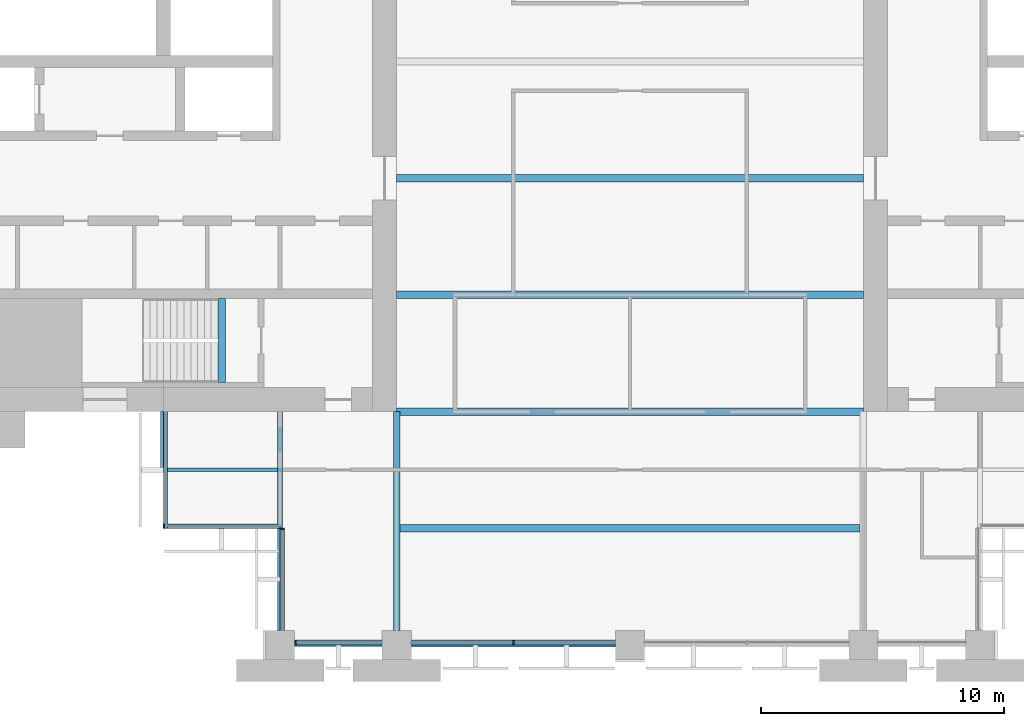
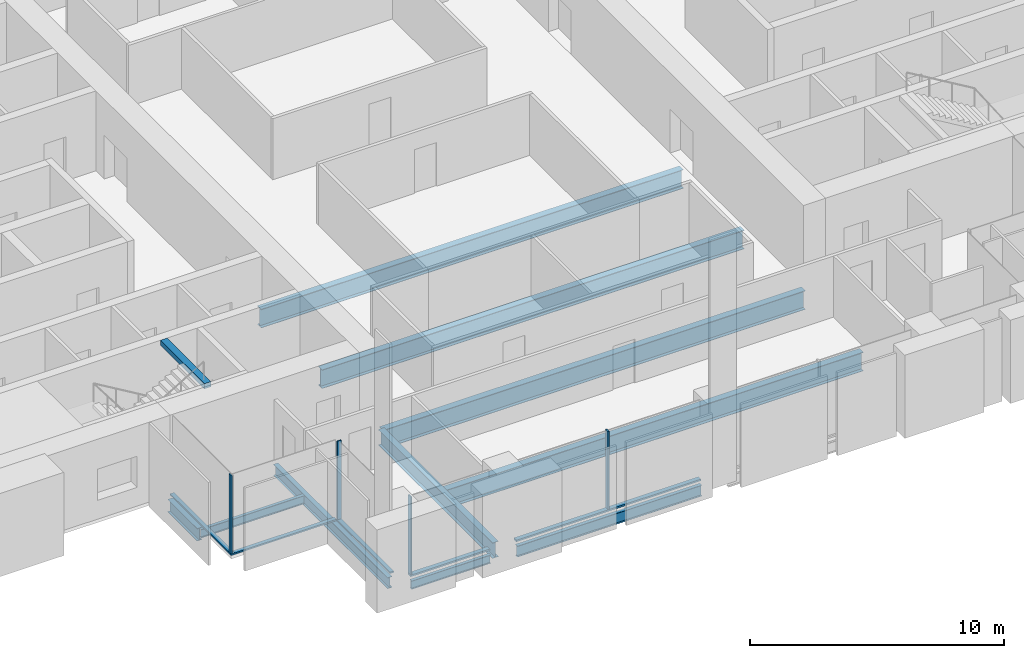
# One storey, part 2 of 14: 11 beams, 9 members, 4 elements without a shape of their own.
"""IFC4 building model written with IfcOpenShell, lengths in metres."""

from ifc_helpers import new_model, si_unit, direction, frame, origin, origin_2d, place, context, subcontext, project, spatial, rectangle, i_section, extrude, material, material_profile, profile_set, type_object, element, aggregate, save


model = new_model("IFC4")

# Units and contexts
model_context = context("Model", 3, precision=1e-05, world=origin(), true_north=direction((0.0, 1.0)))
body_context = subcontext(model_context, "Body", "Model", "MODEL_VIEW")
ifc_project = project(units=[si_unit("LENGTHUNIT", "METRE"), si_unit("AREAUNIT", "SQUARE_METRE"), si_unit("VOLUMEUNIT", "CUBIC_METRE"), si_unit("PLANEANGLEUNIT", "RADIAN"), si_unit("MASSUNIT", "GRAM", prefix="KILO")], contexts=[model_context])

# Site, building, storey
site_placement = place(None, origin())
site = spatial("IfcSite", under=ifc_project, at=site_placement, CompositionType="ELEMENT")
building_placement = place(site_placement, origin())
building = spatial("IfcBuilding", under=site, at=building_placement, Name="Baori Bourse Tower", CompositionType="ELEMENT")
storey_placement = place(building_placement, frame((0.0, 0.0, 120.10009765625)))
storey = spatial("IfcBuildingStorey", under=building, at=storey_placement, Name="L25", CompositionType="ELEMENT", Elevation=120.10009765625)

# Curtain wall, members
ifc_material_1 = material(Name="Pale anodised aluminium", Category="aluminium")
curtain_wall_type_1 = type_object("IfcCurtainWallType", Name="CW1 Curtain wall", PredefinedType="NOTDEFINED", material=ifc_material_1)
curtain_wall_1_placement = place(storey_placement, origin())
curtain_wall_1 = element("IfcCurtainWall", 1, at=curtain_wall_1_placement, inside=storey, type_object=curtain_wall_type_1, Name="Curtain wall CW1 L25 11", PredefinedType="NOTDEFINED")
ifc_material_2 = material(Name="Pale anodised aluminium", Category="aluminium")
ifc_material_profile_1 = material_profile(ifc_material_2, rectangle(XDim=0.199951171875, YDim=0.06005859375, at=origin_2d()), Name="Mullion 60x200")
ifc_profile_set_1 = profile_set([ifc_material_profile_1], Name="Pale anodised aluminium")
member_type_1 = type_object("IfcMemberType", Name="CW1 Curtain wall mullion", PredefinedType="MULLION", material=ifc_profile_set_1)
member_1_placement = place(storey_placement, frame((15.030029296875, 0.10009765625, 0.079833984375), z_axis=(0.0, 0.0, 1.0), x_axis=(0.0, 1.0, 0.0)))
member_1 = element("IfcMember", 2, at=member_1_placement, type_object=member_type_1, Name="Curtain wall CW1 mullion", PredefinedType="MULLION", context=body_context, shape_type="SweptSolid", body=[
    extrude(rectangle(XDim=0.199951171875, YDim=0.06005859375, at=origin_2d()), origin(), (0.0, 0.0, 1.0), 3.760009765625),
])
member_2_placement = place(storey_placement, frame((24.0, 0.10009765625, 0.079833984375), z_axis=(0.0, 0.0, 1.0), x_axis=(0.0, 1.0, 0.0)))
member_2 = element("IfcMember", 3, at=member_2_placement, type_object=member_type_1, Name="Curtain wall CW1 mullion", PredefinedType="MULLION", context=body_context, shape_type="SweptSolid", body=[
    extrude(rectangle(XDim=0.199951171875, YDim=0.06005859375, at=origin_2d()), origin(), (0.0, 0.0, 1.0), 3.760009765625),
])
ifc_material_3 = material(Name="Pale anodised aluminium", Category="aluminium")
ifc_material_profile_2 = material_profile(ifc_material_3, rectangle(XDim=0.199951171875, YDim=0.080078125, at=origin_2d()), Name="Transom 80x200")
ifc_profile_set_2 = profile_set([ifc_material_profile_2], Name="Pale anodised aluminium")
member_type_2 = type_object("IfcMemberType", Name="CW1 Curtain wall transom", PredefinedType="USERDEFINED", material=ifc_profile_set_2)
member_3_placement = place(storey_placement, frame((15.0, 0.10009765625, 0.039794921875), z_axis=(1.0, 0.0, 0.0), x_axis=(0.0, 1.0, 0.0)))
member_3 = element("IfcMember", 4, at=member_3_placement, type_object=member_type_2, Name="Curtain wall CW1 sill rail", ObjectType="TRANSOM", PredefinedType="USERDEFINED", context=body_context, shape_type="SweptSolid", body=[
    extrude(rectangle(XDim=0.199951171875, YDim=0.080078125, at=origin_2d()), origin(), (0.0, 0.0, 1.0), 3.60009765625),
])
member_4_placement = place(storey_placement, frame((19.800048828125, 0.10009765625, 0.039794921875), z_axis=(1.0, 0.0, 0.0), x_axis=(0.0, 1.0, 0.0)))
member_4 = element("IfcMember", 5, at=member_4_placement, type_object=member_type_2, Name="Curtain wall CW1 sill rail", ObjectType="TRANSOM", PredefinedType="USERDEFINED", context=body_context, shape_type="SweptSolid", body=[
    extrude(rectangle(XDim=0.199951171875, YDim=0.080078125, at=origin_2d()), origin(), (0.0, 0.0, 1.0), 8.39990234375),
])
aggregate(curtain_wall_1, [member_3, member_1, member_4, member_2])

# Curtain wall, member
ifc_material_4 = material(Name="Pale anodised aluminium", Category="aluminium")
curtain_wall_type_2 = type_object("IfcCurtainWallType", Name="CW2 Curtain wall", PredefinedType="NOTDEFINED", material=ifc_material_4)
curtain_wall_2_placement = place(storey_placement, origin())
curtain_wall_2 = element("IfcCurtainWall", 6, at=curtain_wall_2_placement, inside=storey, type_object=curtain_wall_type_2, Name="Curtain wall CW2 L25 9", PredefinedType="NOTDEFINED")
ifc_material_5 = material(Name="Pale anodised aluminium", Category="aluminium")
ifc_material_profile_3 = material_profile(ifc_material_5, rectangle(XDim=0.179931640625, YDim=0.054931640625, at=origin_2d()), Name="Mullion 55x180")
ifc_profile_set_3 = profile_set([ifc_material_profile_3], Name="Pale anodised aluminium")
member_type_3 = type_object("IfcMemberType", Name="CW2 Curtain wall mullion", PredefinedType="MULLION", material=ifc_profile_set_3)
member_5_placement = place(storey_placement, frame((9.62744140625, 4.889892578125, 0.06982421875), z_axis=(0.0, 0.0, 1.0), x_axis=(0.0, 1.0, 0.0)))
member_5 = element("IfcMember", 7, at=member_5_placement, type_object=member_type_3, Name="Curtain wall CW2 mullion", PredefinedType="MULLION", context=body_context, shape_type="SweptSolid", body=[
    extrude(rectangle(XDim=0.179931640625, YDim=0.054931640625, at=origin_2d()), origin(), (0.0, 0.0, 1.0), 3.77001953125),
])

curtain_wall_3_placement = place(storey_placement, origin())
curtain_wall_3 = element("IfcCurtainWall", 8, at=curtain_wall_3_placement, inside=storey, type_object=curtain_wall_type_2, Name="Curtain wall CW2 L25 10", PredefinedType="NOTDEFINED")
member_6_placement = place(storey_placement, frame((14.489990234375, 4.7724609375, 0.06982421875), z_axis=(0.0, 0.0, 1.0), x_axis=(1.0, 0.0, 0.0)))
member_6 = element("IfcMember", 9, at=member_6_placement, type_object=member_type_3, Name="Curtain wall CW2 mullion", PredefinedType="MULLION", context=body_context, shape_type="SweptSolid", body=[
    extrude(rectangle(XDim=0.179931640625, YDim=0.054931640625, at=origin_2d()), origin(), (0.0, 0.0, 1.0), 3.77001953125),
])

curtain_wall_4_placement = place(storey_placement, origin())
curtain_wall_4 = element("IfcCurtainWall", 10, at=curtain_wall_4_placement, inside=storey, type_object=curtain_wall_type_2, Name="Curtain wall CW2 L25 8", PredefinedType="NOTDEFINED")
ifc_material_6 = material(Name="Pale anodised aluminium", Category="aluminium")
ifc_material_profile_4 = material_profile(ifc_material_6, rectangle(XDim=0.179931640625, YDim=0.070068359375, at=origin_2d()), Name="Transom 70x180")
ifc_profile_set_4 = profile_set([ifc_material_profile_4], Name="Pale anodised aluminium")
member_type_4 = type_object("IfcMemberType", Name="CW2 Curtain wall transom", PredefinedType="USERDEFINED", material=ifc_profile_set_4)
member_7_placement = place(storey_placement, frame((9.68994140625, 9.60009765625, 0.034912109375), z_axis=(0.0, -1.0, 0.0), x_axis=(1.0, 0.0, 0.0)))
member_7 = element("IfcMember", 11, at=member_7_placement, type_object=member_type_4, Name="Curtain wall CW2 sill rail", ObjectType="TRANSOM", PredefinedType="USERDEFINED", context=body_context, shape_type="SweptSolid", body=[
    extrude(rectangle(XDim=0.179931640625, YDim=0.070068359375, at=origin_2d()), origin(), (0.0, 0.0, 1.0), 4.800048828125),
])
aggregate(curtain_wall_4, [member_7])

# Member
member_8_placement = place(storey_placement, frame((9.60009765625, 4.889892578125, 0.034912109375), z_axis=(1.0, 0.0, 0.0), x_axis=(0.0, 1.0, 0.0)))
member_8 = element("IfcMember", 12, at=member_8_placement, type_object=member_type_4, Name="Curtain wall CW2 sill rail", ObjectType="TRANSOM", PredefinedType="USERDEFINED", context=body_context, shape_type="SweptSolid", body=[
    extrude(rectangle(XDim=0.179931640625, YDim=0.070068359375, at=origin_2d()), origin(), (0.0, 0.0, 1.0), 4.7998046875),
])

aggregate(curtain_wall_2, [member_8, member_5])

member_9_placement = place(storey_placement, frame((14.489990234375, 4.800048828125, 0.034912109375), z_axis=(0.0, -1.0, 0.0), x_axis=(1.0, 0.0, 0.0)))
member_9 = element("IfcMember", 13, at=member_9_placement, type_object=member_type_4, Name="Curtain wall CW2 sill rail", ObjectType="TRANSOM", PredefinedType="USERDEFINED", context=body_context, shape_type="SweptSolid", body=[
    extrude(rectangle(XDim=0.179931640625, YDim=0.070068359375, at=origin_2d()), origin(), (0.0, 0.0, 1.0), 4.199951171875),
])

aggregate(curtain_wall_3, [member_9, member_6])

# Beams
ifc_material_7 = material(Name="Steel A992 Gr 50", Category="steel")
ifc_material_profile_5 = material_profile(ifc_material_7, i_section(OverallWidth=0.227783203125, OverallDepth=0.60205078125, WebThickness=0.010498046875, FlangeThickness=0.014892578125, at=origin_2d()), Name="W24x68")
ifc_profile_set_5 = profile_set([ifc_material_profile_5], Name="Steel A992 Gr 50")
beam_type_1 = type_object("IfcBeamType", Name="Core bracket W24x68", PredefinedType="BEAM", material=ifc_profile_set_5)
beam_1_placement = place(storey_placement, frame((9.60009765625, 7.270263671875, -0.461181640625), z_axis=(0.0, 1.0, 0.0), x_axis=(-1.0, 0.0, 0.0)))
element("IfcBeam", 14, at=beam_1_placement, inside=storey, type_object=beam_type_1, Name="Core bracket L25", PredefinedType="BEAM", context=body_context, shape_type="SweptSolid", body=[
    extrude(i_section(OverallWidth=0.227783203125, OverallDepth=0.60205078125, WebThickness=0.010498046875, FlangeThickness=0.014892578125, at=origin_2d()), origin(), (0.0, 0.0, 1.0), 2.329833984375),
])
ifc_material_8 = material(Name="Steel A992 Gr 50", Category="steel")
ifc_material_profile_6 = material_profile(ifc_material_8, i_section(OverallWidth=0.140380859375, OverallDepth=0.40380859375, WebThickness=0.007080078125, FlangeThickness=0.01123046875, at=origin_2d()), Name="W16x31")
ifc_profile_set_6 = profile_set([ifc_material_profile_6], Name="Steel A992 Gr 50")
beam_type_2 = type_object("IfcBeamType", Name="Edge beam W16x31", PredefinedType="BEAM", material=ifc_profile_set_6)
beam_2_placement = place(storey_placement, frame((15.0, 0.0, -0.362060546875), z_axis=(1.0, 0.0, 0.0), x_axis=(0.0, 1.0, 0.0)))
element("IfcBeam", 15, at=beam_2_placement, inside=storey, type_object=beam_type_2, Name="Edge beam L25", PredefinedType="BEAM", context=body_context, shape_type="SweptSolid", body=[
    extrude(i_section(OverallWidth=0.140380859375, OverallDepth=0.40380859375, WebThickness=0.007080078125, FlangeThickness=0.01123046875, at=origin_2d()), origin(), (0.0, 0.0, 1.0), 3.60009765625),
])
ifc_material_9 = material(Name="Steel A992 Gr 50", Category="steel")
ifc_material_profile_7 = material_profile(ifc_material_9, i_section(OverallWidth=0.1650390625, OverallDepth=0.52587890625, WebThickness=0.0087890625, FlangeThickness=0.011474609375, at=origin_2d()), Name="W21x44")
ifc_profile_set_7 = profile_set([ifc_material_profile_7], Name="Steel A992 Gr 50")
beam_type_3 = type_object("IfcBeamType", Name="Edge beam W21x44", PredefinedType="BEAM", material=ifc_profile_set_7)
beam_3_placement = place(storey_placement, frame((19.800048828125, 0.0, -0.423095703125), z_axis=(1.0, 0.0, 0.0), x_axis=(0.0, 1.0, 0.0)))
element("IfcBeam", 16, at=beam_3_placement, inside=storey, type_object=beam_type_3, Name="Edge beam L25", PredefinedType="BEAM", context=body_context, shape_type="SweptSolid", body=[
    extrude(i_section(OverallWidth=0.1650390625, OverallDepth=0.52587890625, WebThickness=0.0087890625, FlangeThickness=0.011474609375, at=origin_2d()), origin(), (0.0, 0.0, 1.0), 8.39990234375),
])
ifc_material_10 = material(Name="Steel A992 Gr 50", Category="steel")
ifc_material_profile_8 = material_profile(ifc_material_10, i_section(OverallWidth=0.209228515625, OverallDepth=0.533447265625, WebThickness=0.01025390625, FlangeThickness=0.015625, at=origin_2d()), Name="W21x62")
ifc_profile_set_8 = profile_set([ifc_material_profile_8], Name="Steel A992 Gr 50")
beam_type_4 = type_object("IfcBeamType", Name="Floor beam W21x62", PredefinedType="BEAM", material=ifc_profile_set_8)
beam_4_placement = place(storey_placement, frame((14.39990234375, 0.60009765625, -0.4267578125), z_axis=(0.0, 1.0, 0.0), x_axis=(-1.0, 0.0, 0.0)))
element("IfcBeam", 17, at=beam_4_placement, inside=storey, type_object=beam_type_4, Name="Floor beam L25", PredefinedType="BEAM", context=body_context, shape_type="SweptSolid", body=[
    extrude(i_section(OverallWidth=0.209228515625, OverallDepth=0.533447265625, WebThickness=0.01025390625, FlangeThickness=0.015625, at=origin_2d()), origin(), (0.0, 0.0, 1.0), 9.0),
])
ifc_material_11 = material(Name="Steel A992 Gr 50", Category="steel")
ifc_material_profile_9 = material_profile(ifc_material_11, i_section(OverallWidth=0.3046875, OverallDepth=0.904296875, WebThickness=0.01513671875, FlangeThickness=0.02001953125, at=origin_2d()), Name="W36x135")
ifc_profile_set_9 = profile_set([ifc_material_profile_9], Name="Steel A992 Gr 50")
beam_type_5 = type_object("IfcBeamType", Name="Floor beam W36x135", PredefinedType="BEAM", material=ifc_profile_set_9)
beam_5_placement = place(storey_placement, frame((19.33203125, 4.800048828125, -0.6123046875), z_axis=(1.0, 0.0, 0.0), x_axis=(0.0, 1.0, 0.0)))
element("IfcBeam", 18, at=beam_5_placement, inside=storey, type_object=beam_type_5, Name="Floor beam L25", PredefinedType="BEAM", context=body_context, shape_type="SweptSolid", body=[
    extrude(i_section(OverallWidth=0.3046875, OverallDepth=0.904296875, WebThickness=0.01513671875, FlangeThickness=0.02001953125, at=origin_2d()), origin(), (0.0, 0.0, 1.0), 18.935791015625),
])
for number, where, z_axis, x_axis, name in (
    (19, (19.199951171875, 9.60009765625, -0.6123046875), (1.0, 0.0, 0.0), (0.0, 1.0, 0.0), "Floor beam L25"),
    (20, (19.199951171875, 14.39990234375, -0.6123046875), (1.0, 0.0, 0.0), (0.0, 1.0, 0.0), "Floor beam L25"),
    (21, (19.199951171875, 19.199951171875, -0.6123046875), (1.0, 0.0, 0.0), (0.0, 1.0, 0.0), "Floor beam L25"),
):
    element("IfcBeam", number, at=place(storey_placement, frame(where, z_axis=z_axis, x_axis=x_axis)), inside=storey, type_object=beam_type_5, Name=name, PredefinedType="BEAM", context=body_context, shape_type="SweptSolid", body=[
        extrude(i_section(OverallWidth=0.3046875, OverallDepth=0.904296875, WebThickness=0.01513671875, FlangeThickness=0.02001953125, at=origin_2d()), origin(), (0.0, 0.0, 1.0), 19.199951171875),
    ])
ifc_material_12 = material(Name="Steel A992 Gr 50", Category="steel")
ifc_material_profile_10 = material_profile(ifc_material_12, i_section(OverallWidth=0.26416015625, OverallDepth=0.749267578125, WebThickness=0.011962890625, FlangeThickness=0.015380859375, at=origin_2d()), Name="W30x90")
ifc_profile_set_10 = profile_set([ifc_material_profile_10], Name="Steel A992 Gr 50")
beam_type_6 = type_object("IfcBeamType", Name="Girder W30x90", PredefinedType="BEAM", material=ifc_profile_set_10)
beam_6_placement = place(storey_placement, frame((19.199951171875, 0.60009765625, -0.53466796875), z_axis=(0.0, 1.0, 0.0), x_axis=(-1.0, 0.0, 0.0)))
element("IfcBeam", 22, at=beam_6_placement, inside=storey, type_object=beam_type_6, Name="Girder L25", PredefinedType="BEAM", context=body_context, shape_type="SweptSolid", body=[
    extrude(i_section(OverallWidth=0.26416015625, OverallDepth=0.749267578125, WebThickness=0.011962890625, FlangeThickness=0.015380859375, at=origin_2d()), origin(), (0.0, 0.0, 1.0), 9.0),
])
ifc_material_13 = material(Name="Concrete f'c 50 MPa", Category="concrete")
ifc_material_profile_11 = material_profile(ifc_material_13, rectangle(XDim=0.300048828125, YDim=0.25, at=origin_2d()), Name="RC 300x250")
ifc_profile_set_11 = profile_set([ifc_material_profile_11], Name="Concrete f'c 50 MPa")
beam_type_7 = type_object("IfcBeamType", Name="Stair nib beam RC 300x250", PredefinedType="BEAM", material=ifc_profile_set_11)
beam_7_placement = place(storey_placement, frame((12.0, 10.800048828125, 3.71484375), z_axis=(0.0, 1.0, 0.0), x_axis=(-1.0, 0.0, 0.0)))
element("IfcBeam", 23, at=beam_7_placement, inside=storey, type_object=beam_type_7, Name="Stair WA nib beam L26", PredefinedType="BEAM", context=body_context, shape_type="SweptSolid", body=[
    extrude(rectangle(XDim=0.300048828125, YDim=0.25, at=origin_2d()), origin(), (0.0, 0.0, 1.0), 3.449951171875),
])
ifc_material_14 = material(Name="Steel A992 Gr 50", Category="steel")
ifc_material_profile_12 = material_profile(ifc_material_14, i_section(OverallWidth=0.140380859375, OverallDepth=0.40380859375, WebThickness=0.007080078125, FlangeThickness=0.01123046875, at=origin_2d()), Name="W16x31")
ifc_profile_set_12 = profile_set([ifc_material_profile_12], Name="Steel A992 Gr 50")
beam_type_8 = type_object("IfcBeamType", Name="Trimmer beam W16x31", PredefinedType="BEAM", material=ifc_profile_set_12)
beam_8_placement = place(storey_placement, frame((9.60009765625, 7.199951171875, -0.362060546875), z_axis=(1.0, 0.0, 0.0), x_axis=(0.0, 1.0, 0.0)))
element("IfcBeam", 24, at=beam_8_placement, inside=storey, type_object=beam_type_8, Name="Trimmer beam L25", PredefinedType="BEAM", context=body_context, shape_type="SweptSolid", body=[
    extrude(i_section(OverallWidth=0.140380859375, OverallDepth=0.40380859375, WebThickness=0.007080078125, FlangeThickness=0.01123046875, at=origin_2d()), origin(), (0.0, 0.0, 1.0), 4.6953125),
])

save(model, "model.ifc")
